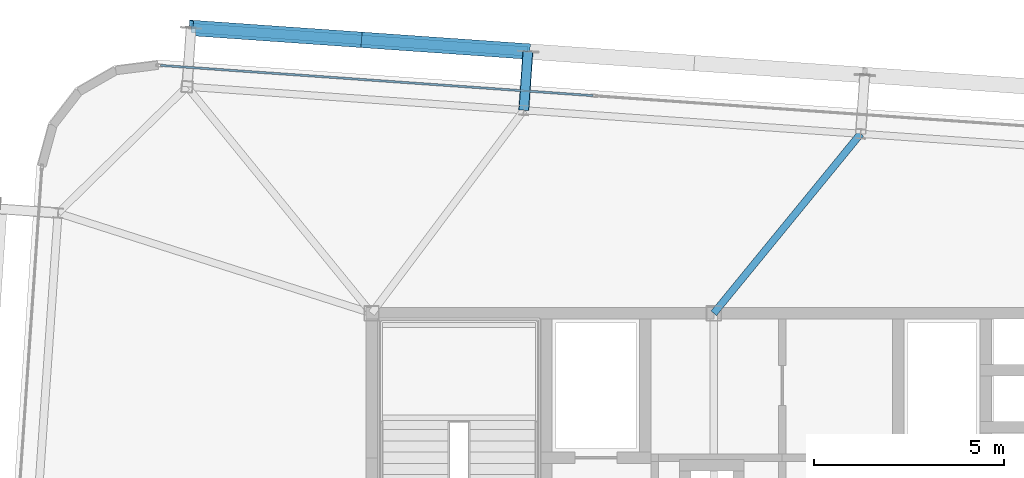
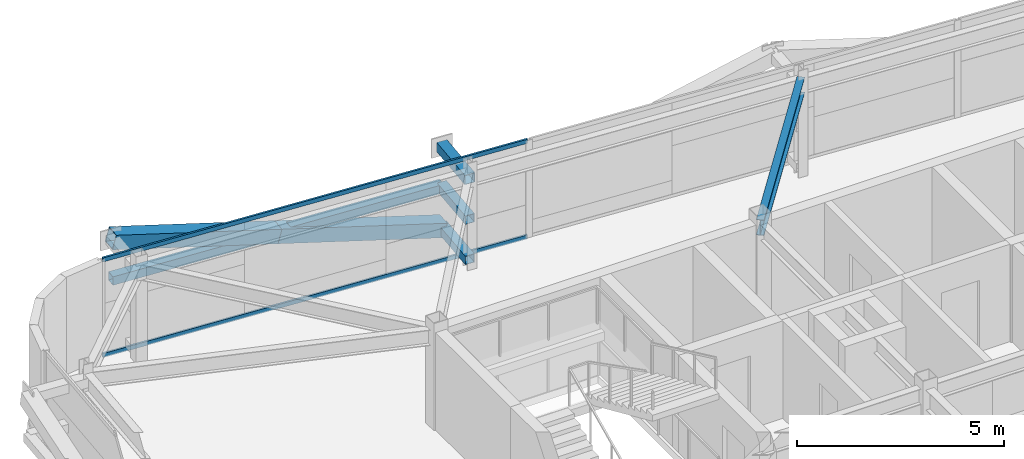
# One storey, part 20 of 39: 8 members, 1 beam, 1 element without a shape of its own.
"""IFC4 building model written with IfcOpenShell, lengths in metres."""

from ifc_helpers import new_model, si_unit, direction, frame, origin, origin_2d, place, context, subcontext, project, spatial, hollow_rectangle, i_section, extrude, source, transform, mapped, material, layer, layer_set, material_profile, profile_set, type_object, element, aggregate, save


model = new_model("IFC4")

# Units and contexts
model_context = context("Model", 3, precision=1e-05, world=origin(), true_north=direction((0.0, 1.0)))
body_context = subcontext(model_context, "Body", "Model", "MODEL_VIEW")
ifc_project = project(units=[si_unit("LENGTHUNIT", "METRE"), si_unit("AREAUNIT", "SQUARE_METRE"), si_unit("VOLUMEUNIT", "CUBIC_METRE"), si_unit("PLANEANGLEUNIT", "RADIAN"), si_unit("MASSUNIT", "GRAM", prefix="KILO")], contexts=[model_context])

# Site, building, storey
site_placement = place(None, origin())
site = spatial("IfcSite", under=ifc_project, at=site_placement, CompositionType="ELEMENT")
building_placement = place(site_placement, origin())
building = spatial("IfcBuilding", under=site, at=building_placement, Name="Taldren Reach Tower", CompositionType="ELEMENT")
storey_placement = place(building_placement, frame((0.0, 0.0, 161.35009765625)))
storey = spatial("IfcBuildingStorey", under=building, at=storey_placement, Name="L49", CompositionType="ELEMENT", Elevation=161.35009765625)

# Members
ifc_material_1 = material(Name="Steel Gr 450 (C450L0)", Category="steel")
ifc_material_profile_1 = material_profile(ifc_material_1, hollow_rectangle(XDim=0.27490234375, YDim=0.27490234375, WallThickness=0.00927734375, at=origin_2d()), Name="275x275x9.3SHS")
ifc_profile_set_1 = profile_set([ifc_material_profile_1], Name="Steel Gr 450 (C450L0)")
member_type_1 = type_object("IfcMemberType", Name="MB-TIE273", PredefinedType="STRUT", material=ifc_profile_set_1)
shared_shape_1 = source(origin(), body_context, "Body", "SweptSolid", [
    extrude(hollow_rectangle(XDim=0.27490234375, YDim=0.27490234375, WallThickness=0.00927734375, at=origin_2d()), origin(), (0.0, 0.0, 1.0), 1.5498046875),
])
member_1_placement = place(storey_placement, frame((23.0029296875, 37.33935546875, 2.58984375), z_axis=(0.069780535098, 0.997562367434, 0.0), x_axis=(-0.997562367434, 0.069780535098, 0.0)))
element("IfcMember", 1, at=member_1_placement, inside=storey, type_object=member_type_1, Name="Exoskeleton diaphragm tie strut B3-N2 L49", PredefinedType="STRUT", context=body_context, shape_type="MappedRepresentation", body=[
    mapped(shared_shape_1, transform((0.0, 0.0, 0.0), scale=1.0)),
])
ifc_material_2 = material(Name="Steel Gr 350 (C350L0)", Category="steel")
ifc_material_profile_2 = material_profile(ifc_material_2, hollow_rectangle(XDim=0.25, YDim=0.25, WallThickness=0.010009765625, at=origin_2d()), Name="250x250x10.0SHS")
ifc_profile_set_2 = profile_set([ifc_material_profile_2], Name="Steel Gr 350 (C350L0)")
member_type_2 = type_object("IfcMemberType", Name="MB-POST250", PredefinedType="POST", material=ifc_profile_set_2)
shared_shape_2 = source(origin(), body_context, "Body", "SweptSolid", [
    extrude(hollow_rectangle(XDim=0.25, YDim=0.25, WallThickness=0.010009765625, at=origin_2d()), origin(), (0.0, 0.0, 1.0), 1.5498046875),
])
for number, where, z_axis, x_axis, name in (
    (2, (23.0029296875, 37.33935546875, 0.219970703125), (0.069780535098, 0.997562367434, 0.0), (-0.997562367434, 0.069780535098, 0.0), "Exoskeleton base diaphragm tie strut B3-N2 L49"),
    (3, (23.0029296875, 37.33935546875, 1.40478515625), (0.069780535098, 0.997562367434, 0.0), (-0.997562367434, 0.069780535098, 0.0), "Exoskeleton mid-tier diaphragm tie B3-N2 L49"),
):
    element("IfcMember", number, at=place(storey_placement, frame(where, z_axis=z_axis, x_axis=x_axis)), inside=storey, type_object=member_type_2, Name=name, PredefinedType="POST", context=body_context, shape_type="MappedRepresentation", body=[
        mapped(shared_shape_2, transform((0.0, 0.0, 0.0), scale=1.0)),
    ])

# Beam
ifc_material_3 = material(Name="Steel Gr 350 (350PLUS)", Category="steel")
ifc_material_profile_3 = material_profile(ifc_material_3, i_section(OverallWidth=0.19091796875, OverallDepth=0.4599609375, WebThickness=0.010009765625, FlangeThickness=0.01611328125, at=origin_2d()), Name="460UB82.1")
ifc_profile_set_3 = profile_set([ifc_material_profile_3], Name="Steel Gr 350 (350PLUS)")
beam_type = type_object("IfcBeamType", Name="BM-UB460A", PredefinedType="BEAM", material=ifc_profile_set_3)
shared_shape_3 = source(origin(), body_context, "Body", "SweptSolid", [
    extrude(i_section(OverallWidth=0.19091796875, OverallDepth=0.4599609375, WebThickness=0.010009765625, FlangeThickness=0.01611328125, at=origin_2d()), origin(), (0.0, 0.0, 1.0), 6.09814453125),
])
beam_placement = place(storey_placement, frame((28.0, 32.0, 2.639892578125), z_axis=(0.633192006663, 0.773994756247, 0.0), x_axis=(-0.773994756247, 0.633192006663, 0.0)))
element("IfcBeam", 4, at=beam_placement, inside=storey, type_object=beam_type, Name="Primary floor girder B3-N3 L49", PredefinedType="BEAM", context=body_context, shape_type="MappedRepresentation", body=[
    mapped(shared_shape_3, transform((0.0, 0.0, 0.0), scale=1.0)),
])

# Members
shared_shape_4 = source(origin(), body_context, "Body", "SweptSolid", [
    extrude(hollow_rectangle(XDim=0.25, YDim=0.25, WallThickness=0.010009765625, at=origin_2d()), origin(), (0.0, 0.0, 1.0), 8.880126953125),
])
member_2_placement = place(storey_placement, frame((14.252685546875, 39.5048828125, 1.40478515625), z_axis=(0.997564479639, -0.069750333063, 0.0), x_axis=(0.069750333063, 0.997564479639, 0.0)))
element("IfcMember", 5, at=member_2_placement, inside=storey, type_object=member_type_2, Name="Exoskeleton mid-height ring chord B3-N1 L49", PredefinedType="POST", context=body_context, shape_type="MappedRepresentation", body=[
    mapped(shared_shape_4, transform((0.0, 0.0, 0.0), scale=1.0)),
])
ifc_material_profile_4 = material_profile(ifc_material_1, hollow_rectangle(XDim=0.409912109375, YDim=0.409912109375, WallThickness=0.01611328125, at=origin_2d()), Name="410x410x16.0SHS")
ifc_profile_set_4 = profile_set([ifc_material_profile_4], Name="Steel Gr 450 (C450L0)")
member_type_3 = type_object("IfcMemberType", Name="MB-EXO406", PredefinedType="BRACE", material=ifc_profile_set_4)
shared_shape_5 = source(origin(), body_context, "Body", "SweptSolid", [
    extrude(hollow_rectangle(XDim=0.409912109375, YDim=0.409912109375, WallThickness=0.01611328125, at=origin_2d()), origin(), (0.0, 0.0, 1.0), 4.595458984375),
])
for number, where, z_axis, x_axis, name in (
    (6, (23.111083984375, 38.885498046875, 0.219970703125), (-0.963836084766, 0.06741858624, 0.257826949585), (-0.06977769246, -0.997562566276, 0.0), "Exoskeleton Diagrid Brace B3-N1 L49"),
    (7, (18.681884765625, 39.1953125, 1.40478515625), (-0.963826332135, 0.067364777265, 0.257877467544), (-0.069722973508, -0.997566392259, 0.0), "Exoskeleton Diagrid Brace B3-N1 L49"),
):
    element("IfcMember", number, at=place(storey_placement, frame(where, z_axis=z_axis, x_axis=x_axis)), inside=storey, type_object=member_type_3, Name=name, PredefinedType="BRACE", context=body_context, shape_type="MappedRepresentation", body=[
        mapped(shared_shape_5, transform((0.0, 0.0, 0.0), scale=1.0)),
    ])

# Curtain wall, members
ifc_material_4 = material(Name="Aluminium and Low-E Glass Unitised System", Category="aluminium")
ifc_layer = layer(ifc_material_4, 0.159912109375)
ifc_layer_set = layer_set([ifc_layer], Name="Aluminium and Low-E Glass Unitised System")
curtain_wall_type = type_object("IfcCurtainWallType", Name="CW-SYS-4", PredefinedType="NOTDEFINED", material=ifc_layer_set)
curtain_wall_placement = place(storey_placement, origin())
curtain_wall = element("IfcCurtainWall", 8, at=curtain_wall_placement, inside=storey, type_object=curtain_wall_type, Name="Unitised curtain wall CW-L49-N", PredefinedType="NOTDEFINED")
ifc_material_5 = material(Name="Anodised Aluminium 6063-T6", Category="aluminium")
ifc_material_profile_5 = material_profile(ifc_material_5, hollow_rectangle(XDim=0.054931640625, YDim=0.1201171875, WallThickness=0.0029296875, at=origin_2d()), Name="ALU-120x55x3RHS")
ifc_profile_set_5 = profile_set([ifc_material_profile_5], Name="Anodised Aluminium 6063-T6")
member_type_4 = type_object("IfcMemberType", Name="CW-TRN-135", PredefinedType="USERDEFINED", material=ifc_profile_set_5)
shared_shape_6 = source(origin(), body_context, "Body", "SweptSolid", [
    extrude(hollow_rectangle(XDim=0.054931640625, YDim=0.1201171875, WallThickness=0.0029296875, at=origin_2d()), origin(), (0.0, 0.0, 1.0), 11.39501953125),
])
member_3_placement = place(storey_placement, frame((24.819091796875, 37.7236328125, 0.02734375), z_axis=(-0.997563740682, 0.069760900766, 0.0), x_axis=(-0.069760900766, -0.997563740682, 0.0)))
member_3 = element("IfcMember", 9, at=member_3_placement, type_object=member_type_4, Name="CW-4 transom 4.1", ObjectType="TRANSOM", PredefinedType="USERDEFINED", context=body_context, shape_type="MappedRepresentation", body=[
    mapped(shared_shape_6, transform((0.0, 0.0, 0.0), scale=1.0)),
])
member_4_placement = place(storey_placement, frame((24.819091796875, 37.7236328125, 2.84228515625), z_axis=(-0.997563740682, 0.069760900766, 0.0), x_axis=(-0.069760900766, -0.997563740682, 0.0)))
member_4 = element("IfcMember", 10, at=member_4_placement, type_object=member_type_4, Name="CW-4 transom 4.2", ObjectType="TRANSOM", PredefinedType="USERDEFINED", context=body_context, shape_type="MappedRepresentation", body=[
    mapped(shared_shape_6, transform((0.0, 0.0, 0.0), scale=1.0)),
])
aggregate(curtain_wall, [member_3, member_4])

save(model, "model.ifc")
